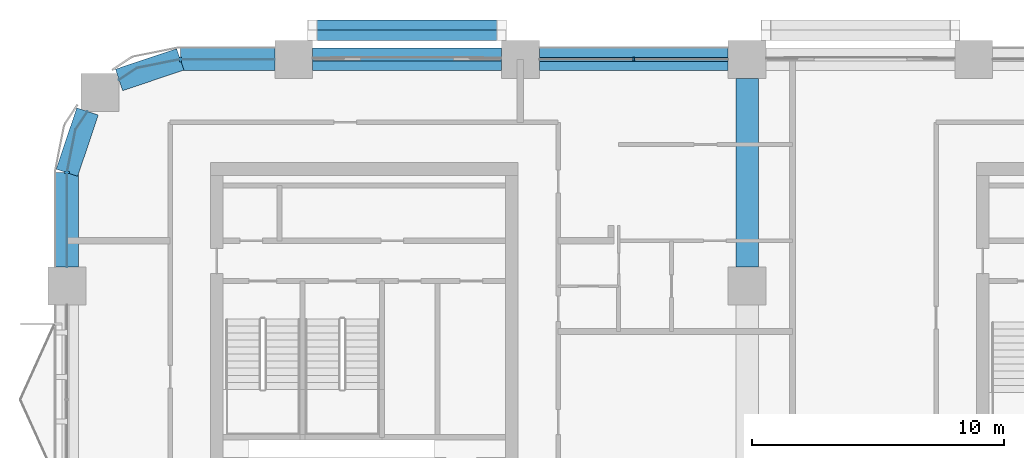
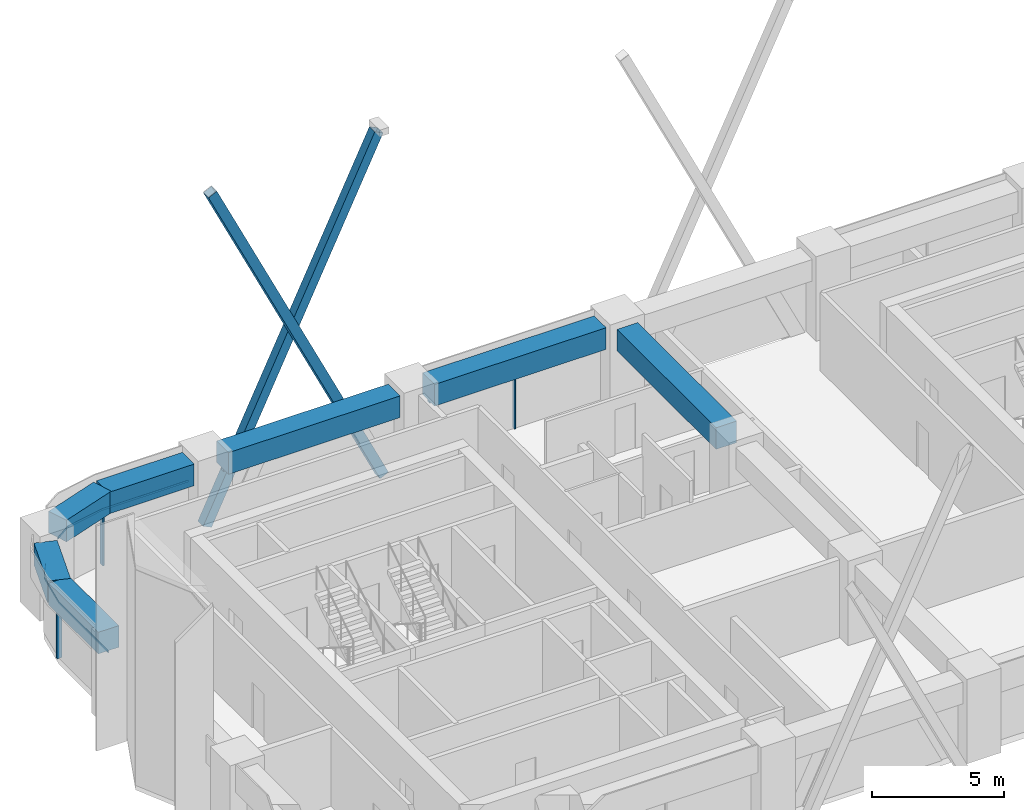
# One storey, part 3 of 13: 9 members, 7 beams, 4 elements without a shape of their own.
"""IFC4 building model written with IfcOpenShell, lengths in metres."""

from ifc_helpers import new_model, si_unit, direction, frame, origin, origin_2d, place, context, subcontext, project, spatial, polyline, rectangle, hollow_rectangle, outline, extrude, material, material_profile, profile_set, type_object, element, aggregate, save


model = new_model("IFC4")

# Units and contexts
model_context = context("Model", 3, precision=1e-05, world=origin(), true_north=direction((0.0, 1.0)))
body_context = subcontext(model_context, "Body", "Model", "MODEL_VIEW")
ifc_project = project(units=[si_unit("LENGTHUNIT", "METRE"), si_unit("AREAUNIT", "SQUARE_METRE"), si_unit("VOLUMEUNIT", "CUBIC_METRE"), si_unit("PLANEANGLEUNIT", "RADIAN"), si_unit("MASSUNIT", "GRAM", prefix="KILO")], contexts=[model_context])

# Site, building, storey
site_placement = place(None, origin())
site = spatial("IfcSite", under=ifc_project, at=site_placement, CompositionType="ELEMENT")
building_placement = place(site_placement, origin())
building = spatial("IfcBuilding", under=site, at=building_placement, Name="Tessera Arch", CompositionType="ELEMENT")
storey_placement = place(building_placement, frame((0.0, 0.0, 166.10009765625)))
storey = spatial("IfcBuildingStorey", under=building, at=storey_placement, Name="L39", CompositionType="ELEMENT", Elevation=166.10009765625)

# Members
ifc_material_1 = material(Name="Steel A500 Gr C", Category="steel")
ifc_material_profile_1 = material_profile(ifc_material_1, hollow_rectangle(XDim=0.406494140625, YDim=0.406494140625, WallThickness=0.0146484375, at=origin_2d()), Name="HSS16x16x5/8")
ifc_profile_set_1 = profile_set([ifc_material_profile_1], Name="Steel A500 Gr C")
member_type_1 = type_object("IfcMemberType", Name="Brace HSS16x16x5/8 Steel A500 Gr C", PredefinedType="BRACE", material=ifc_profile_set_1)
for number, where, z_axis, x_axis, name in (
    (1, (17.25, 54.953125, -0.800048828125), (-0.433297739671, 0.0, 0.90125083567), (0.0, -1.0, 0.0), "Brace N54.0-4 A L39-L42"),
    (2, (9.75, 55.359619140625, -0.800048828125), (0.433297739671, 0.0, 0.90125083567), (0.0, 1.0, 0.0), "Brace N54.0-4 B L39-L42"),
):
    element("IfcMember", number, at=place(storey_placement, frame(where, z_axis=z_axis, x_axis=x_axis)), inside=storey, type_object=member_type_1, Name=name, PredefinedType="BRACE", context=body_context, shape_type="SweptSolid", body=[
        extrude(hollow_rectangle(XDim=0.406494140625, YDim=0.406494140625, WallThickness=0.0146484375, at=origin_2d()), origin(), (0.0, 0.0, 1.0), 17.30908203125),
    ])

# Curtain wall, members
ifc_material_2 = material(Name="CW1 curtain wall")
curtain_wall_type_1 = type_object("IfcCurtainWallType", Name="CW1 curtain wall", PredefinedType="NOTDEFINED", material=ifc_material_2)
curtain_wall_1_placement = place(storey_placement, origin())
curtain_wall_1 = element("IfcCurtainWall", 3, at=curtain_wall_1_placement, inside=storey, type_object=curtain_wall_type_1, Name="CW1 curtain wall N54.0/3 L39", PredefinedType="NOTDEFINED")
ifc_material_3 = material(Name="Anodised aluminium pale metal", Category="aluminium")
ifc_material_profile_2 = material_profile(ifc_material_3, rectangle(XDim=0.159912109375, YDim=0.06005859375, at=origin_2d()), Name="AL 60x160")
ifc_profile_set_2 = profile_set([ifc_material_profile_2], Name="Anodised aluminium pale metal")
member_type_2 = type_object("IfcMemberType", Name="CW1 mullion", PredefinedType="MULLION", material=ifc_profile_set_2)
member_1_placement = place(storey_placement, frame((22.5, 54.0, 0.0), z_axis=(0.0, 0.0, 1.0), x_axis=(0.0, -1.0, 0.0)))
member_1 = element("IfcMember", 4, at=member_1_placement, type_object=member_type_2, Name="CW1 mullion N54.0/3 1", PredefinedType="MULLION", context=body_context, shape_type="SweptSolid", body=[
    extrude(rectangle(XDim=0.159912109375, YDim=0.06005859375, at=origin_2d()), origin(), (0.0, 0.0, 1.0), 2.5),
])
ifc_material_4 = material(Name="Anodised aluminium pale metal", Category="aluminium")
ifc_material_profile_3 = material_profile(ifc_material_4, rectangle(XDim=0.159912109375, YDim=0.10009765625, at=origin_2d()), Name="AL 160x100")
ifc_profile_set_3 = profile_set([ifc_material_profile_3], Name="Anodised aluminium pale metal")
member_type_3 = type_object("IfcMemberType", Name="CW1 transom", PredefinedType="USERDEFINED", material=ifc_profile_set_3)
member_2_placement = place(storey_placement, frame((26.25, 54.0, 2.5498046875), z_axis=(-1.0, 0.0, 0.0), x_axis=(0.0, -1.0, 0.0)))
member_2 = element("IfcMember", 5, at=member_2_placement, type_object=member_type_3, Name="CW1 transom N54.0/3 1.1", ObjectType="TRANSOM", PredefinedType="USERDEFINED", context=body_context, shape_type="SweptSolid", body=[
    extrude(rectangle(XDim=0.159912109375, YDim=0.10009765625, at=origin_2d()), origin(), (0.0, 0.0, 1.0), 7.5),
])
aggregate(curtain_wall_1, [member_1, member_2])

# Curtain wall, member
ifc_material_5 = material(Name="CW2 curtain wall")
curtain_wall_type_2 = type_object("IfcCurtainWallType", Name="CW2 curtain wall", PredefinedType="NOTDEFINED", material=ifc_material_5)
curtain_wall_2_placement = place(storey_placement, origin())
curtain_wall_2 = element("IfcCurtainWall", 6, at=curtain_wall_2_placement, inside=storey, type_object=curtain_wall_type_2, Name="CW2 curtain wall N54.0/5 L39", PredefinedType="NOTDEFINED")
ifc_material_6 = material(Name="Anodised aluminium pale metal", Category="aluminium")
ifc_material_profile_4 = material_profile(ifc_material_6, rectangle(XDim=0.199951171875, YDim=0.080078125, at=origin_2d()), Name="AL 80x200")
ifc_profile_set_4 = profile_set([ifc_material_profile_4], Name="Anodised aluminium pale metal")
member_type_4 = type_object("IfcMemberType", Name="CW2 mullion", PredefinedType="MULLION", material=ifc_profile_set_4)
member_3_placement = place(storey_placement, frame((4.5, 54.0, 0.0), z_axis=(0.0, 0.0, 1.0), x_axis=(0.0, -1.0, 0.0)))
member_3 = element("IfcMember", 7, at=member_3_placement, type_object=member_type_4, Name="CW2 mullion N54.0/5 1", PredefinedType="MULLION", context=body_context, shape_type="SweptSolid", body=[
    extrude(rectangle(XDim=0.199951171875, YDim=0.080078125, at=origin_2d()), origin(), (0.0, 0.0, 1.0), 2.5),
])

curtain_wall_3_placement = place(storey_placement, origin())
curtain_wall_3 = element("IfcCurtainWall", 8, at=curtain_wall_3_placement, inside=storey, type_object=curtain_wall_type_2, Name="CW2 curtain wall W0.27/0 L39", PredefinedType="NOTDEFINED")
member_4_placement = place(storey_placement, frame((0.0, 49.5, 0.0), z_axis=(0.0, 0.0, 1.0), x_axis=(1.0, 0.0, 0.0)))
member_4 = element("IfcMember", 9, at=member_4_placement, type_object=member_type_4, Name="CW2 mullion W0.27/0 1", PredefinedType="MULLION", context=body_context, shape_type="SweptSolid", body=[
    extrude(rectangle(XDim=0.199951171875, YDim=0.080078125, at=origin_2d()), origin(), (0.0, 0.0, 1.0), 2.5),
])

# Member
ifc_material_7 = material(Name="Anodised aluminium pale metal", Category="aluminium")
ifc_material_profile_5 = material_profile(ifc_material_7, rectangle(XDim=0.199951171875, YDim=0.10009765625, at=origin_2d()), Name="AL 200x100")
ifc_profile_set_5 = profile_set([ifc_material_profile_5], Name="Anodised aluminium pale metal")
member_type_5 = type_object("IfcMemberType", Name="CW2 transom", PredefinedType="USERDEFINED", material=ifc_profile_set_5)
member_5_placement = place(storey_placement, frame((0.0, 0.0, 2.5)))
member_5 = element("IfcMember", 10, at=member_5_placement, type_object=member_type_5, Name="CW2 transom N54.0/5 1", ObjectType="TRANSOM", PredefinedType="USERDEFINED", context=body_context, shape_type="SweptSolid", body=[
    extrude(outline(polyline([(4.5009765625, 53.989990234375), (8.25, 53.989990234375), (8.25, 54.010009765625), (4.4990234375, 54.010009765625), (2.77392578125, 53.6669921875), (2.0625, 53.19140625), (2.073486328125, 53.1748046875), (2.78173828125, 53.648193359375), (4.5009765625, 53.989990234375)])), origin(), (0.0, 0.0, 1.0), 0.099853515625),
])

aggregate(curtain_wall_2, [member_3, member_5])

member_6_placement = place(storey_placement, frame((0.0, 0.0, 2.5)))
member_6 = element("IfcMember", 11, at=member_6_placement, type_object=member_type_5, Name="CW2 transom W0.27/0 1", ObjectType="TRANSOM", PredefinedType="USERDEFINED", context=body_context, shape_type="SweptSolid", body=[
    extrude(outline(polyline([(0.351806640625, 51.21826171875), (0.8251953125, 51.926513671875), (0.80859375, 51.9375), (0.3330078125, 51.22607421875), (-0.010009765625, 49.5009765625), (-0.010009765625, 45.75), (0.010009765625, 45.75), (0.010009765625, 49.4990234375), (0.351806640625, 51.21826171875)])), origin(), (0.0, 0.0, 1.0), 0.099853515625),
])

aggregate(curtain_wall_3, [member_4, member_6])

# Curtain wall, member
ifc_material_8 = material(Name="CW3 curtain wall")
curtain_wall_type_3 = type_object("IfcCurtainWallType", Name="CW3 curtain wall", PredefinedType="NOTDEFINED", material=ifc_material_8)
curtain_wall_4_placement = place(storey_placement, origin())
curtain_wall_4 = element("IfcCurtainWall", 12, at=curtain_wall_4_placement, inside=storey, type_object=curtain_wall_type_3, Name="CW3 curtain wall N54.0/4 L39", PredefinedType="NOTDEFINED")
ifc_material_9 = material(Name="Anodised aluminium pale metal", Category="aluminium")
ifc_material_profile_6 = material_profile(ifc_material_9, rectangle(XDim=0.139892578125, YDim=0.10009765625, at=origin_2d()), Name="AL 140x100")
ifc_profile_set_6 = profile_set([ifc_material_profile_6], Name="Anodised aluminium pale metal")
member_type_6 = type_object("IfcMemberType", Name="CW3 transom", PredefinedType="USERDEFINED", material=ifc_profile_set_6)
member_7_placement = place(storey_placement, frame((17.25, 54.0, 2.5498046875), z_axis=(-1.0, 0.0, 0.0), x_axis=(0.0, -1.0, 0.0)))
member_7 = element("IfcMember", 13, at=member_7_placement, type_object=member_type_6, Name="CW3 transom N54.0/4 1.1", ObjectType="TRANSOM", PredefinedType="USERDEFINED", context=body_context, shape_type="SweptSolid", body=[
    extrude(rectangle(XDim=0.139892578125, YDim=0.10009765625, at=origin_2d()), origin(), (0.0, 0.0, 1.0), 7.5),
])
aggregate(curtain_wall_4, [member_7])

# Beams
ifc_material_10 = material(Name="Concrete C70/85", Category="concrete")
ifc_material_profile_7 = material_profile(ifc_material_10, rectangle(XDim=0.89990234375, YDim=1.0, at=origin_2d()), Name="RC spandrel beam 900 x 1000 Concrete C70/85")
ifc_profile_set_7 = profile_set([ifc_material_profile_7], Name="Concrete C70/85")
beam_type = type_object("IfcBeamType", Name="RC spandrel beam 900 x 1000 Concrete C70/85", PredefinedType="BEAM", material=ifc_profile_set_7)
for number, where, z_axis, x_axis, name in (
    (14, (26.25, 54.0, 3.099853515625), (-1.0, 0.0, 0.0), (0.0, -1.0, 0.0), "Spandrel beam L39 N54.0/3"),
    (15, (17.25, 54.0, 3.099853515625), (-1.0, 0.0, 0.0), (0.0, -1.0, 0.0), "Spandrel beam L39 N54.0/4"),
):
    element("IfcBeam", number, at=place(storey_placement, frame(where, z_axis=z_axis, x_axis=x_axis)), inside=storey, type_object=beam_type, Name=name, PredefinedType="BEAM", context=body_context, shape_type="SweptSolid", body=[
        extrude(rectangle(XDim=0.89990234375, YDim=1.0, at=origin_2d()), origin(), (0.0, 0.0, 1.0), 7.5),
    ])
beam_1_placement = place(storey_placement, frame((8.25, 54.0, 3.099853515625), z_axis=(-1.0, 0.0, 0.0), x_axis=(0.0, -1.0, 0.0)))
element("IfcBeam", 16, at=beam_1_placement, inside=storey, type_object=beam_type, Name="Spandrel beam L39 N54.0/5.1", PredefinedType="BEAM", context=body_context, shape_type="SweptSolid", body=[
    extrude(rectangle(XDim=0.89990234375, YDim=1.0, at=origin_2d()), origin(), (0.0, 0.0, 1.0), 3.75),
])
for number, where, z_axis, x_axis, name in (
    (17, (4.5, 54.0, 3.099853515625), (-0.947947973234, -0.31842525032, 0.0), (0.31842525032, -0.947947973234, 0.0), "Spandrel beam L39 N54.0/5.2"),
    (18, (0.81689453125, 51.931884765625, 3.099853515625), (-0.31842525032, -0.947947973234, 0.0), (0.947947973234, -0.31842525032, 0.0), "Spandrel beam L39 W0.27/0.1"),
):
    element("IfcBeam", number, at=place(storey_placement, frame(where, z_axis=z_axis, x_axis=x_axis)), inside=storey, type_object=beam_type, Name=name, PredefinedType="BEAM", context=body_context, shape_type="SweptSolid", body=[
        extrude(rectangle(XDim=0.89990234375, YDim=1.0, at=origin_2d()), origin(), (0.0, 0.0, 1.0), 2.5654296875),
    ])
beam_2_placement = place(storey_placement, frame((0.0, 49.5, 3.099853515625), z_axis=(0.0, -1.0, 0.0), x_axis=(1.0, 0.0, 0.0)))
element("IfcBeam", 19, at=beam_2_placement, inside=storey, type_object=beam_type, Name="Spandrel beam L39 W0.27/0.2", PredefinedType="BEAM", context=body_context, shape_type="SweptSolid", body=[
    extrude(rectangle(XDim=0.89990234375, YDim=1.0, at=origin_2d()), origin(), (0.0, 0.0, 1.0), 3.75),
])
beam_3_placement = place(storey_placement, frame((27.0, 45.75, 3.099853515625), z_axis=(0.0, 1.0, 0.0), x_axis=(-1.0, 0.0, 0.0)))
element("IfcBeam", 20, at=beam_3_placement, inside=storey, type_object=beam_type, Name="Interface beam L39 I0C4F-C4G", PredefinedType="BEAM", context=body_context, shape_type="SweptSolid", body=[
    extrude(rectangle(XDim=0.89990234375, YDim=1.0, at=origin_2d()), origin(), (0.0, 0.0, 1.0), 7.5),
])

save(model, "model.ifc")
